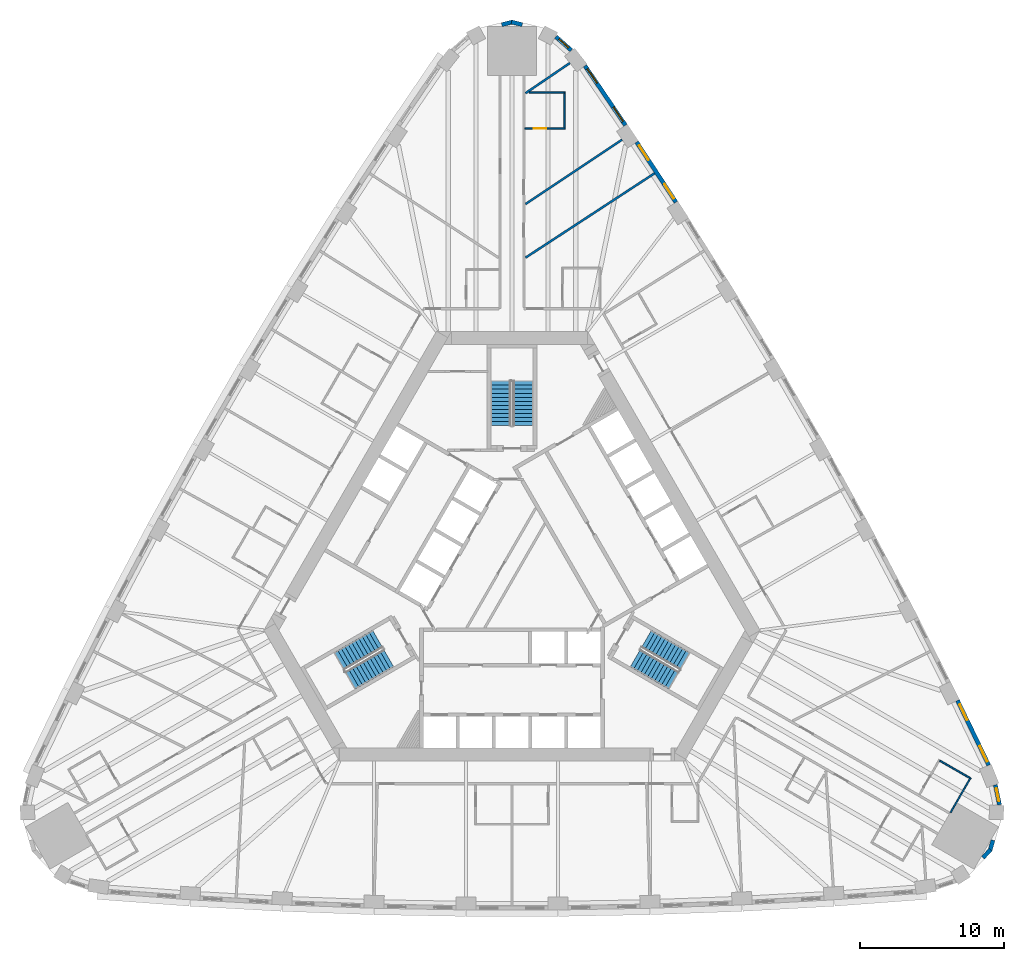
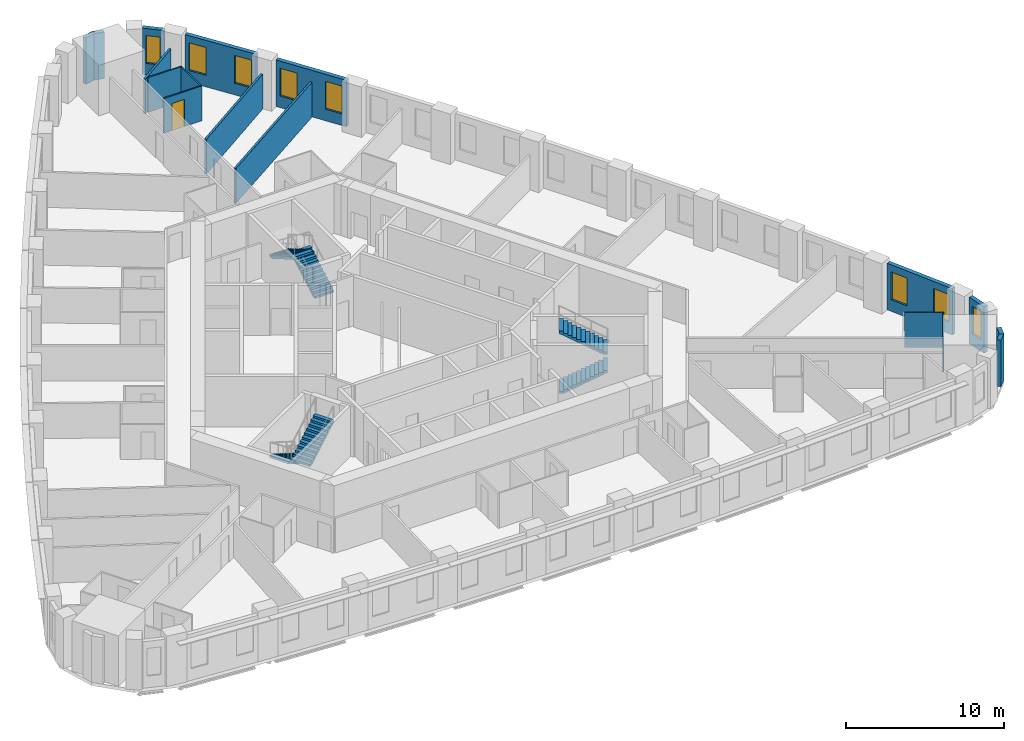
# One storey, part 11 of 12: 17 walls, 8 windows, 6 stair flights, 1 door, 9 openings, 3 elements without a shape of their own.
"""IFC4 building model written with IfcOpenShell, lengths in metres."""

import ifcopenshell
import ifcopenshell.guid

model = None  # the IFC model being written
_history = None  # IfcOwnerHistory: only IFC2X3 demands one
_inside = {}  # id of a spatial element -> (the spatial element, [elements in it])
_under = {}  # id of a project, library or spatial element -> (it, [spatial elements below it])
_declared = {}  # id of a project -> (the project, [libraries it declares])
_typed = {}  # id of a type object -> (the type object, [elements of that type])
_made_of = {}  # id of a material, layer set ... -> (it, [elements and type objects made of it])


def new_model(schema):
    """Start an empty IFC model of exactly this schema.

    Asked for "IFC4X3", IfcOpenShell would pick the latest addendum, in which some entities
    have other attributes; the version numbers below select the first issue.
    IFC2X3 requires an IfcOwnerHistory on every rooted entity: one is made here for all.
    """
    global model, _history
    if schema == "IFC4X3":
        model = ifcopenshell.file(schema_version=(4, 3, 0, 0))
    else:
        model = ifcopenshell.file(schema=schema)
    _inside.clear()
    _under.clear()
    _declared.clear()
    _typed.clear()
    _made_of.clear()
    _history = None
    if model.schema == "IFC2X3":
        org = make("IfcOrganization", Name="unknown")
        user = make(
            "IfcPersonAndOrganization",
            ThePerson=make("IfcPerson", FamilyName="unknown"),
            TheOrganization=org,
        )
        app = make(
            "IfcApplication",
            ApplicationDeveloper=org,
            Version="unknown",
            ApplicationFullName="unknown",
            ApplicationIdentifier="unknown",
        )
        _history = make(
            "IfcOwnerHistory",
            OwningUser=user,
            OwningApplication=app,
            ChangeAction="ADDED",
            CreationDate=0,
        )
    return model


def make(cls, **values):
    """One entity of the class cls with the attributes given. An attribute that is None is left unset."""
    return model.create_entity(
        cls, **{name: value for name, value in values.items() if value is not None}
    )


def rooted(cls, **values):
    """An entity with a GlobalId (a new one), such as an element, a storey or a relation."""
    return make(cls, GlobalId=ifcopenshell.guid.new(), OwnerHistory=_history, **values)


def si_unit(unit_type, name, prefix=None):
    """IfcSIUnit, for example si_unit("LENGTHUNIT", "METRE", prefix="MILLI")."""
    return make("IfcSIUnit", UnitType=unit_type, Prefix=prefix, Name=name)


def assignment(units):
    """IfcUnitAssignment: the units of a project."""
    return None if units is None else make("IfcUnitAssignment", Units=units)


def point(xyz):
    """IfcCartesianPoint."""
    return None if xyz is None else make("IfcCartesianPoint", Coordinates=xyz)


def direction(xyz):
    """IfcDirection."""
    return None if xyz is None else make("IfcDirection", DirectionRatios=xyz)


def frame(location, z_axis=None, x_axis=None):
    """IfcAxis2Placement3D, a coordinate frame: its origin and axes. An axis left out is left unset."""
    return make(
        "IfcAxis2Placement3D",
        Location=point(location),
        Axis=direction(z_axis),
        RefDirection=direction(x_axis),
    )


def frame_2d(location, x_axis=None):
    """IfcAxis2Placement2D, a coordinate frame in the plane: its origin and x axis."""
    return make(
        "IfcAxis2Placement2D", Location=point(location), RefDirection=direction(x_axis)
    )


def origin():
    """The frame at (0, 0, 0) with its axes left unset."""
    return frame((0.0, 0.0, 0.0))


def place(relative_to, where):
    """IfcLocalPlacement: puts the frame where relative to a parent placement (None: the world)."""
    return make(
        "IfcLocalPlacement", PlacementRelTo=relative_to, RelativePlacement=where
    )


def context(
    kind, dimensions, precision=None, world=None, true_north=None, identifier=None
):
    """IfcGeometricRepresentationContext, for example the 3D "Model" context."""
    return make(
        "IfcGeometricRepresentationContext",
        ContextIdentifier=identifier,
        ContextType=kind,
        CoordinateSpaceDimension=dimensions,
        Precision=precision,
        WorldCoordinateSystem=world,
        TrueNorth=true_north,
    )


def subcontext(parent, identifier, kind, view, scale=None):
    """IfcGeometricRepresentationSubContext, for example "Body" below "Model"."""
    return make(
        "IfcGeometricRepresentationSubContext",
        ContextIdentifier=identifier,
        ContextType=kind,
        ParentContext=parent,
        TargetScale=scale,
        TargetView=view,
    )


def project(units=None, contexts=None):
    """IfcProject with its units and contexts."""
    return rooted(
        "IfcProject",
        Name="project",
        RepresentationContexts=contexts,
        UnitsInContext=assignment(units),
    )


def spatial(cls, under=None, at=None, **own):
    """A site, building, storey or space (cls), placed at a placement, below another one or the project."""
    s = rooted(cls, ObjectPlacement=at, **own)
    if under is not None:
        _under.setdefault(under.id(), (under, []))[1].append(s)
    return s


def polyline(points):
    """IfcPolyline through the points."""
    return make("IfcPolyline", Points=[point(p) for p in points])


def profile(cls, at=None, kind="AREA", **sizes):
    """A parametric profile (cls). Its sizes go by their IFC names, for example OverallWidth=200.0."""
    return make(cls, ProfileType=kind, Position=at, **sizes)


def rectangle(**sizes):
    """IfcRectangleProfileDef."""
    return profile("IfcRectangleProfileDef", **sizes)


def outline(outer, holes=None, kind="AREA"):
    """IfcArbitraryClosedProfileDef: a profile drawn as a closed curve; with holes, ...WithVoids."""
    if holes is None:
        return make("IfcArbitraryClosedProfileDef", ProfileType=kind, OuterCurve=outer)
    return make(
        "IfcArbitraryProfileDefWithVoids",
        ProfileType=kind,
        OuterCurve=outer,
        InnerCurves=holes,
    )


def extrude(swept, where, along, depth):
    """IfcExtrudedAreaSolid: the profile swept, set in the frame where, extruded along a direction by depth."""
    return make(
        "IfcExtrudedAreaSolid",
        SweptArea=swept,
        Position=where,
        ExtrudedDirection=direction(along),
        Depth=depth,
    )


def shape(context_of_items, identifier, shape_type, items):
    """IfcShapeRepresentation: the items that make up one representation, for example the "Body"."""
    return make(
        "IfcShapeRepresentation",
        ContextOfItems=context_of_items,
        RepresentationIdentifier=identifier,
        RepresentationType=shape_type,
        Items=items,
    )


def material(Name=None, Category=None):
    """IfcMaterial."""
    return make("IfcMaterial", Name=Name, Category=Category)


def layer(
    of_material, thickness, ventilated=None, Name=None, Category=None, Priority=None
):
    """IfcMaterialLayer: one layer of a wall or slab, of a material (None: an air gap)."""
    return make(
        "IfcMaterialLayer",
        Material=of_material,
        LayerThickness=thickness,
        IsVentilated=ventilated,
        Name=Name,
        Category=Category,
        Priority=Priority,
    )


def layer_set(layers, Name=None):
    """IfcMaterialLayerSet."""
    return make("IfcMaterialLayerSet", MaterialLayers=layers, LayerSetName=Name)


def made_of(thing, what):
    """Note that an element or type object is made of a material, layer set ...; save() writes the relation."""
    if what is not None:
        _made_of.setdefault(what.id(), (what, []))[1].append(thing)
    return thing


def type_object(cls, material=None, **own):
    """A type object (cls), such as IfcWallType, which elements share."""
    return made_of(rooted(cls, **own), material)


def element(
    cls,
    number,
    at=None,
    inside=None,
    cuts=None,
    type_object=None,
    material=None,
    context=None,
    identifier="Body",
    shape_type=None,
    held_by="IfcProductDefinitionShape",
    body=None,
    shapes=None,
    **own,
):
    """One element of the class cls, such as IfcWall. Its Tag is "e" and its number.

    at: its placement. inside: the storey or other place that contains it. cuts: it is an
    opening in that element (IfcRelVoidsElement). A single representation is given by context,
    identifier, shape_type and body (its items); several are given by shapes. held_by: the class
    of the entity that holds the representations. save() writes the other relations.
    """
    e = rooted(cls, Tag="e%d" % number, ObjectPlacement=at, **own)
    if body is not None:
        shapes = [shape(context, identifier, shape_type, body)]
    if shapes is not None:
        e.Representation = make(held_by, Representations=shapes)
    if inside is not None:
        _inside.setdefault(inside.id(), (inside, []))[1].append(e)
    if cuts is not None:
        rooted(
            "IfcRelVoidsElement", RelatingBuildingElement=cuts, RelatedOpeningElement=e
        )
    if type_object is not None:
        _typed.setdefault(type_object.id(), (type_object, []))[1].append(e)
    return made_of(e, material)


def fill(opening, filler):
    """IfcRelFillsElement: the door or window that sits in an opening."""
    return rooted(
        "IfcRelFillsElement",
        RelatingOpeningElement=opening,
        RelatedBuildingElement=filler,
    )


def aggregate(whole, parts):
    """IfcRelAggregates: a whole, such as a stair, and the parts it consists of."""
    return rooted("IfcRelAggregates", RelatingObject=whole, RelatedObjects=parts)


def save(model, path):
    """Write the relations noted so far, then the file.

    IfcRelAggregates (storeys below a building ...), IfcRelContainedInSpatialStructure (elements
    in a storey), IfcRelDefinesByType, IfcRelAssociatesMaterial and IfcRelDeclares: one each for
    every whole, place, type object, material and project.
    """
    for whole, parts in _under.values():
        aggregate(whole, parts)
    for where, things in _inside.values():
        rooted(
            "IfcRelContainedInSpatialStructure",
            RelatedElements=things,
            RelatingStructure=where,
        )
    for kind, things in _typed.values():
        rooted("IfcRelDefinesByType", RelatedObjects=things, RelatingType=kind)
    for what, things in _made_of.values():
        rooted("IfcRelAssociatesMaterial", RelatedObjects=things, RelatingMaterial=what)
    for by, libraries in _declared.values():
        rooted("IfcRelDeclares", RelatingContext=by, RelatedDefinitions=libraries)
    model.write(path)


model = new_model("IFC4")

# Units and contexts
model_context = context("Model", 3, precision=1e-05, world=origin(), true_north=direction((0.0, 1.0)))
body_context = subcontext(model_context, "Body", "Model", "MODEL_VIEW")
ifc_project = project(units=[si_unit("LENGTHUNIT", "METRE"), si_unit("AREAUNIT", "SQUARE_METRE"), si_unit("VOLUMEUNIT", "CUBIC_METRE"), si_unit("PLANEANGLEUNIT", "RADIAN"), si_unit("MASSUNIT", "GRAM", prefix="KILO")], contexts=[model_context])

# Site, building, storey
site_placement = place(None, origin())
site = spatial("IfcSite", under=ifc_project, at=site_placement, CompositionType="ELEMENT")
building_placement = place(site_placement, origin())
building = spatial("IfcBuilding", under=site, at=building_placement, Name="Mestral Congress Tower", CompositionType="ELEMENT")
storey_placement = place(building_placement, frame((0.0, 0.0, 74.39990234375)))
storey = spatial("IfcBuildingStorey", under=building, at=storey_placement, Name="L17", CompositionType="ELEMENT", Elevation=74.39990234375)

# Walls
ifc_material_1 = material(Name="Precast concrete C40/50 with limestone facing", Category="masonry")
ifc_layer_1 = layer(ifc_material_1, 0.2900390625)
ifc_layer_set_1 = layer_set([ifc_layer_1], Name="Precast concrete C40/50 with limestone facing")
wall_type_1 = type_object("IfcWallType", Name="Facade stone wall 290", PredefinedType="SOLIDWALL", material=ifc_layer_set_1)
for number, where, z_axis, x_axis, name in (
    (1, (32.762451171875, -19.732177734375, 0.0), (0.0, 0.0, 1.0), (0.692252359589, 0.721655506903, 0.0), "Facade wall K0-1"),
    (2, (33.256591796875, -19.24072265625, 0.0), (0.0, 0.0, 1.0), (0.278981320915, 0.960296528464, 0.0), "Facade wall K0-2"),
):
    element("IfcWall", number, at=place(storey_placement, frame(where, z_axis=z_axis, x_axis=x_axis)), inside=storey, type_object=wall_type_1, Name=name, PredefinedType="SOLIDWALL", context=body_context, shape_type="SweptSolid", body=[
        extrude(rectangle(XDim=0.763916015625, YDim=0.2900390625, at=frame_2d((0.3818359375, 0.0))), origin(), (0.0, 0.0, 1.0), 3.60009765625),
    ])

# Wall, opening, window
wall_1_placement = place(storey_placement, frame((33.91748046875, -16.043701171875, 0.0), z_axis=(0.0, 0.0, 1.0), x_axis=(-0.198106888228, 0.980180422594, 0.0)))
wall_1 = element("IfcWall", 3, at=wall_1_placement, inside=storey, type_object=wall_type_1, Name="Facade wall K0-3", PredefinedType="SOLIDWALL", context=body_context, shape_type="SweptSolid", body=[
    extrude(rectangle(XDim=1.414794921875, YDim=0.2900390625, at=frame_2d((0.70751953125, 0.0))), origin(), (0.0, 0.0, 1.0), 3.60009765625),
])
opening_1_placement = place(wall_1_placement, frame((0.25732421875, 0.0, 0.89990234375)))
opening_1 = element("IfcOpeningElement", 4, at=opening_1_placement, cuts=wall_1, Name="Opening W3", PredefinedType="OPENING", context=body_context, shape_type="SweptSolid", body=[
    extrude(rectangle(XDim=0.89990234375, YDim=2.14990234375, at=frame_2d((0.449951171875, 1.074951171875))), frame((0.0, 0.155029296875, 0.0), z_axis=(0.0, -1.0, 0.0), x_axis=(1.0, 0.0, 0.0)), (0.0, 0.0, 1.0), 0.31005859375),
])
ifc_material_2 = material(Name="Clear low-emissivity double glazing", Category="glass")
window_type_1 = type_object("IfcWindowType", Name="Facade punched window 900 x 2150 sill 900", PartitioningType="SINGLE_PANEL", PredefinedType="WINDOW", material=ifc_material_2)
window_1_placement = place(opening_1_placement, origin())
window_1 = element("IfcWindow", 5, at=window_1_placement, inside=storey, type_object=window_type_1, Name="Window K0-3", OverallHeight=2.14990234375, OverallWidth=0.89990234375, PartitioningType="SINGLE_PANEL", PredefinedType="WINDOW", context=body_context, shape_type="SweptSolid", body=[
    extrude(rectangle(XDim=0.89990234375, YDim=2.14990234375, at=frame_2d((0.449951171875, 1.074951171875))), frame((0.0, 0.01513671875, 0.0), z_axis=(0.0, -1.0, 0.0), x_axis=(1.0, 0.0, 0.0)), (0.0, 0.0, 1.0), 0.06005859375),
])
fill(opening_1, window_1)

# Wall, openings, windows
wall_2_placement = place(storey_placement, frame((33.176025390625, -13.290283203125, 0.0), z_axis=(0.0, 0.0, 1.0), x_axis=(-0.434664499056, 0.900592456808, 0.0)))
wall_2 = element("IfcWall", 6, at=wall_2_placement, inside=storey, type_object=wall_type_1, Name="Facade wall F1-00", PredefinedType="SOLIDWALL", context=body_context, shape_type="SweptSolid", body=[
    extrude(rectangle(XDim=5.005615234375, YDim=0.2900390625, at=frame_2d((2.5029296875, 0.0))), origin(), (0.0, 0.0, 1.0), 3.60009765625),
])
opening_2_placement = place(wall_2_placement, frame((0.265380859375, 0.0, 0.89990234375)))
opening_2 = element("IfcOpeningElement", 7, at=opening_2_placement, cuts=wall_2, Name="Opening W1", PredefinedType="OPENING", context=body_context, shape_type="SweptSolid", body=[
    extrude(rectangle(XDim=1.199951171875, YDim=2.14990234375, at=frame_2d((0.60009765625, 1.074951171875))), frame((0.0, 0.155029296875, 0.0), z_axis=(0.0, -1.0, 0.0), x_axis=(1.0, 0.0, 0.0)), (0.0, 0.0, 1.0), 0.31005859375),
])
opening_3_placement = place(wall_2_placement, frame((3.49560546875, 0.0, 0.89990234375)))
opening_3 = element("IfcOpeningElement", 8, at=opening_3_placement, cuts=wall_2, Name="Opening W1", PredefinedType="OPENING", context=body_context, shape_type="SweptSolid", body=[
    extrude(rectangle(XDim=1.199951171875, YDim=2.14990234375, at=frame_2d((0.60009765625, 1.074951171875))), frame((0.0, 0.155029296875, 0.0), z_axis=(0.0, -1.0, 0.0), x_axis=(1.0, 0.0, 0.0)), (0.0, 0.0, 1.0), 0.31005859375),
])
window_type_2 = type_object("IfcWindowType", Name="Facade punched window 1200 x 2150 sill 900", PartitioningType="DOUBLE_PANEL_VERTICAL", PredefinedType="WINDOW", material=ifc_material_2)
window_2_placement = place(opening_2_placement, origin())
window_2 = element("IfcWindow", 9, at=window_2_placement, inside=storey, type_object=window_type_2, Name="Window F1-00a", OverallHeight=2.14990234375, OverallWidth=1.199951171875, PartitioningType="DOUBLE_PANEL_VERTICAL", PredefinedType="WINDOW", context=body_context, shape_type="SweptSolid", body=[
    extrude(rectangle(XDim=1.199951171875, YDim=2.14990234375, at=frame_2d((0.60009765625, 1.074951171875))), frame((0.0, 0.01513671875, 0.0), z_axis=(0.0, -1.0, 0.0), x_axis=(1.0, 0.0, 0.0)), (0.0, 0.0, 1.0), 0.06005859375),
])
fill(opening_2, window_2)
window_3_placement = place(opening_3_placement, origin())
window_3 = element("IfcWindow", 10, at=window_3_placement, inside=storey, type_object=window_type_2, Name="Window F1-00b", OverallHeight=2.14990234375, OverallWidth=1.199951171875, PartitioningType="DOUBLE_PANEL_VERTICAL", PredefinedType="WINDOW", context=body_context, shape_type="SweptSolid", body=[
    extrude(rectangle(XDim=1.199951171875, YDim=2.14990234375, at=frame_2d((0.60009765625, 1.074951171875))), frame((0.0, 0.01513671875, 0.0), z_axis=(0.0, -1.0, 0.0), x_axis=(1.0, 0.0, 0.0)), (0.0, 0.0, 1.0), 0.06005859375),
])
fill(opening_3, window_3)

wall_3_placement = place(storey_placement, frame((11.41064453125, 25.884033203125, 0.0), z_axis=(0.0, 0.0, 1.0), x_axis=(-0.547204617628, 0.836998868845, 0.0)))
wall_3 = element("IfcWall", 11, at=wall_3_placement, inside=storey, type_object=wall_type_1, Name="Facade wall F1-07", PredefinedType="SOLIDWALL", context=body_context, shape_type="SweptSolid", body=[
    extrude(rectangle(XDim=4.998291015625, YDim=0.2900390625, at=frame_2d((2.4990234375, 0.0))), origin(), (0.0, 0.0, 1.0), 3.60009765625),
])
opening_4_placement = place(wall_3_placement, frame((0.297119140625, 0.0, 0.89990234375)))
opening_4 = element("IfcOpeningElement", 12, at=opening_4_placement, cuts=wall_3, Name="Opening W1", PredefinedType="OPENING", context=body_context, shape_type="SweptSolid", body=[
    extrude(rectangle(XDim=1.199951171875, YDim=2.14990234375, at=frame_2d((0.60009765625, 1.074951171875))), frame((0.0, 0.155029296875, 0.0), z_axis=(0.0, -1.0, 0.0), x_axis=(1.0, 0.0, 0.0)), (0.0, 0.0, 1.0), 0.31005859375),
])
opening_5_placement = place(wall_3_placement, frame((3.501220703125, 0.0, 0.89990234375)))
opening_5 = element("IfcOpeningElement", 13, at=opening_5_placement, cuts=wall_3, Name="Opening W1", PredefinedType="OPENING", context=body_context, shape_type="SweptSolid", body=[
    extrude(rectangle(XDim=1.199951171875, YDim=2.14990234375, at=frame_2d((0.60009765625, 1.074951171875))), frame((0.0, 0.155029296875, 0.0), z_axis=(0.0, -1.0, 0.0), x_axis=(1.0, 0.0, 0.0)), (0.0, 0.0, 1.0), 0.31005859375),
])
window_4_placement = place(opening_4_placement, origin())
window_4 = element("IfcWindow", 14, at=window_4_placement, inside=storey, type_object=window_type_2, Name="Window F1-07a", OverallHeight=2.14990234375, OverallWidth=1.199951171875, PartitioningType="DOUBLE_PANEL_VERTICAL", PredefinedType="WINDOW", context=body_context, shape_type="SweptSolid", body=[
    extrude(rectangle(XDim=1.199951171875, YDim=2.14990234375, at=frame_2d((0.60009765625, 1.074951171875))), frame((0.0, 0.01513671875, 0.0), z_axis=(0.0, -1.0, 0.0), x_axis=(1.0, 0.0, 0.0)), (0.0, 0.0, 1.0), 0.06005859375),
])
fill(opening_4, window_4)
window_5_placement = place(opening_5_placement, origin())
window_5 = element("IfcWindow", 15, at=window_5_placement, inside=storey, type_object=window_type_2, Name="Window F1-07b", OverallHeight=2.14990234375, OverallWidth=1.199951171875, PartitioningType="DOUBLE_PANEL_VERTICAL", PredefinedType="WINDOW", context=body_context, shape_type="SweptSolid", body=[
    extrude(rectangle(XDim=1.199951171875, YDim=2.14990234375, at=frame_2d((0.60009765625, 1.074951171875))), frame((0.0, 0.01513671875, 0.0), z_axis=(0.0, -1.0, 0.0), x_axis=(1.0, 0.0, 0.0)), (0.0, 0.0, 1.0), 0.06005859375),
])
fill(opening_5, window_5)

wall_4_placement = place(storey_placement, frame((7.89453125, 31.23828125, 0.0), z_axis=(0.0, 0.0, 1.0), x_axis=(-0.562610153679, 0.826722332454, 0.0)))
wall_4 = element("IfcWall", 16, at=wall_4_placement, inside=storey, type_object=wall_type_1, Name="Facade wall F1-08", PredefinedType="SOLIDWALL", context=body_context, shape_type="SweptSolid", body=[
    extrude(rectangle(XDim=5.005615234375, YDim=0.2900390625, at=frame_2d((2.5029296875, 0.0))), origin(), (0.0, 0.0, 1.0), 3.60009765625),
])
opening_6_placement = place(wall_4_placement, frame((0.310302734375, 0.0, 0.89990234375)))
opening_6 = element("IfcOpeningElement", 17, at=opening_6_placement, cuts=wall_4, Name="Opening W1", PredefinedType="OPENING", context=body_context, shape_type="SweptSolid", body=[
    extrude(rectangle(XDim=1.199951171875, YDim=2.14990234375, at=frame_2d((0.60009765625, 1.074951171875))), frame((0.0, 0.155029296875, 0.0), z_axis=(0.0, -1.0, 0.0), x_axis=(1.0, 0.0, 0.0)), (0.0, 0.0, 1.0), 0.31005859375),
])
opening_7_placement = place(wall_4_placement, frame((3.54052734375, 0.0, 0.89990234375)))
opening_7 = element("IfcOpeningElement", 18, at=opening_7_placement, cuts=wall_4, Name="Opening W1", PredefinedType="OPENING", context=body_context, shape_type="SweptSolid", body=[
    extrude(rectangle(XDim=1.199951171875, YDim=2.14990234375, at=frame_2d((0.60009765625, 1.074951171875))), frame((0.0, 0.155029296875, 0.0), z_axis=(0.0, -1.0, 0.0), x_axis=(1.0, 0.0, 0.0)), (0.0, 0.0, 1.0), 0.31005859375),
])
window_6_placement = place(opening_6_placement, origin())
window_6 = element("IfcWindow", 19, at=window_6_placement, inside=storey, type_object=window_type_2, Name="Window F1-08a", OverallHeight=2.14990234375, OverallWidth=1.199951171875, PartitioningType="DOUBLE_PANEL_VERTICAL", PredefinedType="WINDOW", context=body_context, shape_type="SweptSolid", body=[
    extrude(rectangle(XDim=1.199951171875, YDim=2.14990234375, at=frame_2d((0.60009765625, 1.074951171875))), frame((0.0, 0.01513671875, 0.0), z_axis=(0.0, -1.0, 0.0), x_axis=(1.0, 0.0, 0.0)), (0.0, 0.0, 1.0), 0.06005859375),
])
fill(opening_6, window_6)
window_7_placement = place(opening_7_placement, origin())
window_7 = element("IfcWindow", 20, at=window_7_placement, inside=storey, type_object=window_type_2, Name="Window F1-08b", OverallHeight=2.14990234375, OverallWidth=1.199951171875, PartitioningType="DOUBLE_PANEL_VERTICAL", PredefinedType="WINDOW", context=body_context, shape_type="SweptSolid", body=[
    extrude(rectangle(XDim=1.199951171875, YDim=2.14990234375, at=frame_2d((0.60009765625, 1.074951171875))), frame((0.0, 0.01513671875, 0.0), z_axis=(0.0, -1.0, 0.0), x_axis=(1.0, 0.0, 0.0)), (0.0, 0.0, 1.0), 0.06005859375),
])
fill(opening_7, window_7)

# Wall, opening, window
wall_5_placement = place(storey_placement, frame((4.12548828125, 36.458984375, 0.0), z_axis=(0.0, 0.0, 1.0), x_axis=(-0.749812680302, 0.661650167731, 0.0)))
wall_5 = element("IfcWall", 21, at=wall_5_placement, inside=storey, type_object=wall_type_1, Name="Facade wall K1-0", PredefinedType="SOLIDWALL", context=body_context, shape_type="SweptSolid", body=[
    extrude(rectangle(XDim=1.4150390625, YDim=0.2900390625, at=frame_2d((0.70751953125, 0.0))), origin(), (0.0, 0.0, 1.0), 3.60009765625),
])
opening_8_placement = place(wall_5_placement, frame((0.257568359375, 0.0, 0.89990234375)))
opening_8 = element("IfcOpeningElement", 22, at=opening_8_placement, cuts=wall_5, Name="Opening W3", PredefinedType="OPENING", context=body_context, shape_type="SweptSolid", body=[
    extrude(rectangle(XDim=0.89990234375, YDim=2.14990234375, at=frame_2d((0.449951171875, 1.074951171875))), frame((0.0, 0.155029296875, 0.0), z_axis=(0.0, -1.0, 0.0), x_axis=(1.0, 0.0, 0.0)), (0.0, 0.0, 1.0), 0.31005859375),
])
window_8_placement = place(opening_8_placement, origin())
window_8 = element("IfcWindow", 23, at=window_8_placement, inside=storey, type_object=window_type_1, Name="Window K1-0", OverallHeight=2.14990234375, OverallWidth=0.89990234375, PartitioningType="SINGLE_PANEL", PredefinedType="WINDOW", context=body_context, shape_type="SweptSolid", body=[
    extrude(rectangle(XDim=0.89990234375, YDim=2.14990234375, at=frame_2d((0.449951171875, 1.074951171875))), frame((0.0, 0.01513671875, 0.0), z_axis=(0.0, -1.0, 0.0), x_axis=(1.0, 0.0, 0.0)), (0.0, 0.0, 1.0), 0.06005859375),
])
fill(opening_8, window_8)

# Walls
for number, where, z_axis, x_axis, name in (
    (24, (0.707275390625, 38.2392578125, 0.0), (0.0, 0.0, 1.0), (-0.971167582305, 0.238397833629, 0.0), "Facade wall K1-1"),
    (25, (0.03466796875, 38.42138671875, 0.0), (0.0, 0.0, 1.0), (-0.971167582305, -0.238397833629, 0.0), "Facade wall K1-2"),
):
    element("IfcWall", number, at=place(storey_placement, frame(where, z_axis=z_axis, x_axis=x_axis)), inside=storey, type_object=wall_type_1, Name=name, PredefinedType="SOLIDWALL", context=body_context, shape_type="SweptSolid", body=[
        extrude(rectangle(XDim=0.763916015625, YDim=0.2900390625, at=frame_2d((0.3818359375, 0.0))), origin(), (0.0, 0.0, 1.0), 3.60009765625),
    ])
ifc_material_3 = material(Name="Gypsum board partition on metal studs with mineral wool", Category="composite")
ifc_layer_2 = layer(ifc_material_3, 0.10009765625)
ifc_layer_set_2 = layer_set([ifc_layer_2], Name="Gypsum board partition on metal studs with mineral wool")
wall_type_2 = type_object("IfcWallType", Name="Hotel partition wall 100", PredefinedType="PARTITIONING", material=ifc_layer_set_2)
wall_6_placement = place(storey_placement, frame((29.770751953125, -12.973388671875, 0.0), z_axis=(0.0, 0.0, 1.0), x_axis=(0.865980596518, -0.500077600433, 0.0)))
element("IfcWall", 26, at=wall_6_placement, inside=storey, type_object=wall_type_2, Name="L17-h-pod08b", PredefinedType="PARTITIONING", context=body_context, shape_type="SweptSolid", body=[
    extrude(rectangle(XDim=2.39990234375, YDim=0.10009765625, at=frame_2d((1.199951171875, 0.0))), origin(), (0.0, 0.0, 1.0), 2.7001953125),
])
wall_7_placement = place(storey_placement, frame((30.517578125, -16.580078125, 0.0), z_axis=(0.0, 0.0, 1.0), x_axis=(0.49998411664, 0.866034573852, 0.0)))
element("IfcWall", 27, at=wall_7_placement, inside=storey, type_object=wall_type_2, Name="L17-h-pod08c", PredefinedType="PARTITIONING", context=body_context, shape_type="SweptSolid", body=[
    extrude(rectangle(XDim=2.7998046875, YDim=0.10009765625, at=frame_2d((1.39990234375, 0.0))), origin(), (0.0, 0.0, 1.0), 2.7001953125),
])

# Wall, opening, door
wall_8_placement = place(storey_placement, frame((0.89990234375, 31.008544921875, 0.0), z_axis=(0.0, 0.0, 1.0), x_axis=(1.0, 0.0, 0.0)))
wall_8 = element("IfcWall", 28, at=wall_8_placement, inside=storey, type_object=wall_type_2, Name="L17-h-pod14a", PredefinedType="PARTITIONING", context=body_context, shape_type="SweptSolid", body=[
    extrude(rectangle(XDim=2.800048828125, YDim=0.10009765625, at=frame_2d((1.39990234375, 0.0))), origin(), (0.0, 0.0, 1.0), 2.7001953125),
])
opening_9_placement = place(wall_8_placement, frame((0.60009765625, 0.0, 0.0)))
opening_9 = element("IfcOpeningElement", 29, at=opening_9_placement, cuts=wall_8, Name="Opening H05-026", PredefinedType="OPENING", context=body_context, shape_type="SweptSolid", body=[
    extrude(rectangle(XDim=0.89990234375, YDim=2.10009765625, at=frame_2d((0.449951171875, 1.050048828125))), frame((0.0, 0.06005859375, 0.0), z_axis=(0.0, -1.0, 0.0), x_axis=(1.0, 0.0, 0.0)), (0.0, 0.0, 1.0), 0.1201171875),
])
ifc_material_4 = material(Name="Timber veneer door leaf in timber frame", Category="wood")
door_type = type_object("IfcDoorType", Name="Bathroom door 900", OperationType="SINGLE_SWING_LEFT", PredefinedType="DOOR", material=ifc_material_4)
door_placement = place(opening_9_placement, origin())
door = element("IfcDoor", 30, at=door_placement, inside=storey, type_object=door_type, Name="L17-h-d026", OperationType="SINGLE_SWING_LEFT", OverallHeight=2.10009765625, OverallWidth=0.89990234375, PredefinedType="DOOR", context=body_context, shape_type="SweptSolid", body=[
    extrude(rectangle(XDim=0.89990234375, YDim=2.10009765625, at=frame_2d((0.449951171875, 1.050048828125))), frame((0.0, 0.02490234375, 0.0), z_axis=(0.0, -1.0, 0.0), x_axis=(1.0, 0.0, 0.0)), (0.0, 0.0, 1.0), 0.050048828125),
])
fill(opening_9, door)

# Walls
wall_9_placement = place(storey_placement, frame((3.64990234375, 31.05859375, 0.0), z_axis=(0.0, 0.0, 1.0), x_axis=(0.0, 1.0, 0.0)))
element("IfcWall", 31, at=wall_9_placement, inside=storey, type_object=wall_type_2, Name="L17-h-pod14b", PredefinedType="PARTITIONING", context=body_context, shape_type="SweptSolid", body=[
    extrude(rectangle(XDim=2.39990234375, YDim=0.10009765625, at=frame_2d((1.199951171875, 0.0))), origin(), (0.0, 0.0, 1.0), 2.7001953125),
])
wall_10_placement = place(storey_placement, frame((1.199951171875, 33.508544921875, 0.0), z_axis=(0.0, 0.0, 1.0), x_axis=(1.0, 0.0, 0.0)))
element("IfcWall", 32, at=wall_10_placement, inside=storey, type_object=wall_type_2, Name="L17-h-pod14c", PredefinedType="PARTITIONING", context=body_context, shape_type="SweptSolid", body=[
    extrude(rectangle(XDim=2.5, YDim=0.10009765625, at=frame_2d((1.25, 0.0))), origin(), (0.0, 0.0, 1.0), 2.7001953125),
])
ifc_layer_3 = layer(ifc_material_3, 0.14990234375)
ifc_layer_set_3 = layer_set([ifc_layer_3], Name="Gypsum board partition on metal studs with mineral wool")
wall_type_3 = type_object("IfcWallType", Name="Hotel partition wall 150", PredefinedType="PARTITIONING", material=ifc_layer_set_3)
wall_11_placement = place(storey_placement, frame((9.921630859375, 27.896484375, 0.0), z_axis=(0.0, 0.0, 1.0), x_axis=(-0.836970816595, -0.547247523675, 0.0)))
element("IfcWall", 33, at=wall_11_placement, inside=storey, type_object=wall_type_3, Name="L17-h-pw13", PredefinedType="PARTITIONING", context=body_context, shape_type="SweptSolid", body=[
    extrude(rectangle(XDim=10.728759765625, YDim=0.14990234375, at=frame_2d((5.3642578125, 0.0))), origin(), (0.0, 0.0, 1.0), 2.7001953125),
])
wall_12_placement = place(storey_placement, frame((7.662353515625, 30.237548828125, 0.0), z_axis=(0.0, 0.0, 1.0), x_axis=(-0.831882886825, -0.554951225431, 0.0)))
element("IfcWall", 34, at=wall_12_placement, inside=storey, type_object=wall_type_3, Name="L17-h-pw14", PredefinedType="PARTITIONING", context=body_context, shape_type="SweptSolid", body=[
    extrude(rectangle(XDim=8.078857421875, YDim=0.14990234375, at=frame_2d((4.03955078125, 0.0))), origin(), (0.0, 0.0, 1.0), 2.7001953125),
])
wall_13_placement = place(storey_placement, frame((4.02783203125, 35.56884765625, 0.0), z_axis=(0.0, 0.0, 1.0), x_axis=(-0.826700206326, -0.56264266534, 0.0)))
element("IfcWall", 35, at=wall_13_placement, inside=storey, type_object=wall_type_3, Name="L17-h-pw15", PredefinedType="PARTITIONING", context=body_context, shape_type="SweptSolid", body=[
    extrude(rectangle(XDim=3.7333984375, YDim=0.14990234375, at=frame_2d((1.86669921875, 0.0))), origin(), (0.0, 0.0, 1.0), 2.7001953125),
])

# Stair, stair flights
ifc_material_5 = material(Name="Concrete C60/75", Category="concrete")
stair_type = type_object("IfcStairType", Name="Exit stair 1400", PredefinedType="HALF_TURN_STAIR", material=ifc_material_5)
placement = place(storey_placement, origin())
stair_1 = element("IfcStair", 36, at=placement, inside=storey, type_object=stair_type, Name="L17 ST1", PredefinedType="HALF_TURN_STAIR")
stair_flight_type = type_object("IfcStairFlightType", Name="Exit stair flight 1400", PredefinedType="STRAIGHT", material=ifc_material_5)
stair_flight_1_placement = place(storey_placement, frame((8.575927734375, -5.84619140625, 0.0), z_axis=(0.0, 0.0, 1.0), x_axis=(0.866025403784, -0.5, 0.0)))
stair_flight_1 = element("IfcStairFlight", 37, at=stair_flight_1_placement, type_object=stair_flight_type, Name="ST1 flight 1", NumberOfRisers=12, NumberOfTreads=11, PredefinedType="STRAIGHT", RiserHeight=0.1625, TreadLength=0.28, context=body_context, shape_type="SweptSolid", body=[
    extrude(outline(polyline([(0.0, 0.0), (0.0, 0.16259765625), (0.280029296875, 0.16259765625), (0.280029296875, 0.324951171875), (0.56005859375, 0.324951171875), (0.56005859375, 0.487548828125), (0.840087890625, 0.487548828125), (0.840087890625, 0.64990234375), (1.1201171875, 0.64990234375), (1.1201171875, 0.8125), (1.39990234375, 0.8125), (1.39990234375, 0.97509765625), (1.679931640625, 0.97509765625), (1.679931640625, 1.137451171875), (1.9599609375, 1.137451171875), (1.9599609375, 1.300048828125), (2.239990234375, 1.300048828125), (2.239990234375, 1.46240234375), (2.52001953125, 1.46240234375), (2.52001953125, 1.625), (2.800048828125, 1.625), (2.800048828125, 1.78759765625), (3.080078125, 1.78759765625), (3.080078125, 1.949951171875), (3.080078125, 1.6142578125), (0.298583984375, 0.0), (0.0, 0.0)])), frame((0.0, 0.699951171875, 0.0), z_axis=(0.0, -1.0, 0.0), x_axis=(1.0, 0.0, 0.0)), (0.0, 0.0, 1.0), 1.39990234375),
])
stair_flight_2_placement = place(storey_placement, frame((12.018310546875, -6.0439453125, 1.9501953125), z_axis=(0.0, 0.0, 1.0), x_axis=(-0.866025403784, 0.5, 0.0)))
stair_flight_2 = element("IfcStairFlight", 38, at=stair_flight_2_placement, type_object=stair_flight_type, Name="ST1 flight 2", NumberOfRisers=12, NumberOfTreads=11, PredefinedType="STRAIGHT", RiserHeight=0.1625, TreadLength=0.28, context=body_context, shape_type="SweptSolid", body=[
    extrude(outline(polyline([(0.0, 0.0), (0.0, 0.16259765625), (0.280029296875, 0.16259765625), (0.280029296875, 0.324951171875), (0.56005859375, 0.324951171875), (0.56005859375, 0.487548828125), (0.840087890625, 0.487548828125), (0.840087890625, 0.64990234375), (1.1201171875, 0.64990234375), (1.1201171875, 0.8125), (1.39990234375, 0.8125), (1.39990234375, 0.97509765625), (1.679931640625, 0.97509765625), (1.679931640625, 1.137451171875), (1.9599609375, 1.137451171875), (1.9599609375, 1.300048828125), (2.239990234375, 1.300048828125), (2.239990234375, 1.46240234375), (2.52001953125, 1.46240234375), (2.52001953125, 1.625), (2.800048828125, 1.625), (2.800048828125, 1.78759765625), (3.080078125, 1.78759765625), (3.080078125, 1.949951171875), (3.080078125, 1.6142578125), (0.298583984375, 0.0), (0.0, 0.0)])), frame((0.0, 0.699951171875, 0.0), z_axis=(0.0, -1.0, 0.0), x_axis=(1.0, 0.0, 0.0)), (0.0, 0.0, 1.0), 1.39990234375),
])
aggregate(stair_1, [stair_flight_1, stair_flight_2])

stair_2 = element("IfcStair", 39, at=placement, inside=storey, type_object=stair_type, Name="L17 ST2", PredefinedType="HALF_TURN_STAIR")
stair_flight_3_placement = place(storey_placement, frame((0.77490234375, 10.35009765625, 0.0), z_axis=(0.0, 0.0, 1.0), x_axis=(0.0, 1.0, 0.0)))
stair_flight_3 = element("IfcStairFlight", 40, at=stair_flight_3_placement, type_object=stair_flight_type, Name="ST2 flight 1", NumberOfRisers=12, NumberOfTreads=11, PredefinedType="STRAIGHT", RiserHeight=0.1625, TreadLength=0.28, context=body_context, shape_type="SweptSolid", body=[
    extrude(outline(polyline([(0.0, 0.0), (0.0, 0.16259765625), (0.280029296875, 0.16259765625), (0.280029296875, 0.324951171875), (0.56005859375, 0.324951171875), (0.56005859375, 0.487548828125), (0.840087890625, 0.487548828125), (0.840087890625, 0.64990234375), (1.1201171875, 0.64990234375), (1.1201171875, 0.8125), (1.39990234375, 0.8125), (1.39990234375, 0.97509765625), (1.679931640625, 0.97509765625), (1.679931640625, 1.137451171875), (1.9599609375, 1.137451171875), (1.9599609375, 1.300048828125), (2.239990234375, 1.300048828125), (2.239990234375, 1.46240234375), (2.52001953125, 1.46240234375), (2.52001953125, 1.625), (2.800048828125, 1.625), (2.800048828125, 1.78759765625), (3.080078125, 1.78759765625), (3.080078125, 1.949951171875), (3.080078125, 1.6142578125), (0.298583984375, 0.0), (0.0, 0.0)])), frame((0.0, 0.699951171875, 0.0), z_axis=(0.0, -1.0, 0.0), x_axis=(1.0, 0.0, 0.0)), (0.0, 0.0, 1.0), 1.39990234375),
])
stair_flight_4_placement = place(storey_placement, frame((-0.77490234375, 13.429931640625, 1.9501953125), z_axis=(0.0, 0.0, 1.0), x_axis=(0.0, -1.0, 0.0)))
stair_flight_4 = element("IfcStairFlight", 41, at=stair_flight_4_placement, type_object=stair_flight_type, Name="ST2 flight 2", NumberOfRisers=12, NumberOfTreads=11, PredefinedType="STRAIGHT", RiserHeight=0.1625, TreadLength=0.28, context=body_context, shape_type="SweptSolid", body=[
    extrude(outline(polyline([(0.0, 0.0), (0.0, 0.16259765625), (0.280029296875, 0.16259765625), (0.280029296875, 0.324951171875), (0.56005859375, 0.324951171875), (0.56005859375, 0.487548828125), (0.840087890625, 0.487548828125), (0.840087890625, 0.64990234375), (1.1201171875, 0.64990234375), (1.1201171875, 0.8125), (1.39990234375, 0.8125), (1.39990234375, 0.97509765625), (1.679931640625, 0.97509765625), (1.679931640625, 1.137451171875), (1.9599609375, 1.137451171875), (1.9599609375, 1.300048828125), (2.239990234375, 1.300048828125), (2.239990234375, 1.46240234375), (2.52001953125, 1.46240234375), (2.52001953125, 1.625), (2.800048828125, 1.625), (2.800048828125, 1.78759765625), (3.080078125, 1.78759765625), (3.080078125, 1.949951171875), (3.080078125, 1.6142578125), (0.298583984375, 0.0), (0.0, 0.0)])), frame((0.0, 0.699951171875, 0.0), z_axis=(0.0, -1.0, 0.0), x_axis=(1.0, 0.0, 0.0)), (0.0, 0.0, 1.0), 1.39990234375),
])
aggregate(stair_2, [stair_flight_3, stair_flight_4])

stair_3 = element("IfcStair", 42, at=placement, inside=storey, type_object=stair_type, Name="L17 ST3", PredefinedType="HALF_TURN_STAIR")
stair_flight_5_placement = place(storey_placement, frame((-9.350830078125, -4.50390625, 0.0), z_axis=(0.0, 0.0, 1.0), x_axis=(-0.866025403784, -0.5, 0.0)))
stair_flight_5 = element("IfcStairFlight", 43, at=stair_flight_5_placement, type_object=stair_flight_type, Name="ST3 flight 1", NumberOfRisers=12, NumberOfTreads=11, PredefinedType="STRAIGHT", RiserHeight=0.1625, TreadLength=0.28, context=body_context, shape_type="SweptSolid", body=[
    extrude(outline(polyline([(0.0, 0.0), (0.0, 0.16259765625), (0.280029296875, 0.16259765625), (0.280029296875, 0.324951171875), (0.56005859375, 0.324951171875), (0.56005859375, 0.487548828125), (0.840087890625, 0.487548828125), (0.840087890625, 0.64990234375), (1.1201171875, 0.64990234375), (1.1201171875, 0.8125), (1.39990234375, 0.8125), (1.39990234375, 0.97509765625), (1.679931640625, 0.97509765625), (1.679931640625, 1.137451171875), (1.9599609375, 1.137451171875), (1.9599609375, 1.300048828125), (2.239990234375, 1.300048828125), (2.239990234375, 1.46240234375), (2.52001953125, 1.46240234375), (2.52001953125, 1.625), (2.800048828125, 1.625), (2.800048828125, 1.78759765625), (3.080078125, 1.78759765625), (3.080078125, 1.949951171875), (3.080078125, 1.6142578125), (0.298583984375, 0.0), (0.0, 0.0)])), frame((0.0, 0.699951171875, 0.0), z_axis=(0.0, -1.0, 0.0), x_axis=(1.0, 0.0, 0.0)), (0.0, 0.0, 1.0), 1.39990234375),
])
stair_flight_6_placement = place(storey_placement, frame((-11.2431640625, -7.38623046875, 1.9501953125), z_axis=(0.0, 0.0, 1.0), x_axis=(0.866025403784, 0.5, 0.0)))
stair_flight_6 = element("IfcStairFlight", 44, at=stair_flight_6_placement, type_object=stair_flight_type, Name="ST3 flight 2", NumberOfRisers=12, NumberOfTreads=11, PredefinedType="STRAIGHT", RiserHeight=0.1625, TreadLength=0.28, context=body_context, shape_type="SweptSolid", body=[
    extrude(outline(polyline([(0.0, 0.0), (0.0, 0.16259765625), (0.280029296875, 0.16259765625), (0.280029296875, 0.324951171875), (0.56005859375, 0.324951171875), (0.56005859375, 0.487548828125), (0.840087890625, 0.487548828125), (0.840087890625, 0.64990234375), (1.1201171875, 0.64990234375), (1.1201171875, 0.8125), (1.39990234375, 0.8125), (1.39990234375, 0.97509765625), (1.679931640625, 0.97509765625), (1.679931640625, 1.137451171875), (1.9599609375, 1.137451171875), (1.9599609375, 1.300048828125), (2.239990234375, 1.300048828125), (2.239990234375, 1.46240234375), (2.52001953125, 1.46240234375), (2.52001953125, 1.625), (2.800048828125, 1.625), (2.800048828125, 1.78759765625), (3.080078125, 1.78759765625), (3.080078125, 1.949951171875), (3.080078125, 1.6142578125), (0.298583984375, 0.0), (0.0, 0.0)])), frame((0.0, 0.699951171875, 0.0), z_axis=(0.0, -1.0, 0.0), x_axis=(1.0, 0.0, 0.0)), (0.0, 0.0, 1.0), 1.39990234375),
])
aggregate(stair_3, [stair_flight_5, stair_flight_6])

save(model, "model.ifc")
